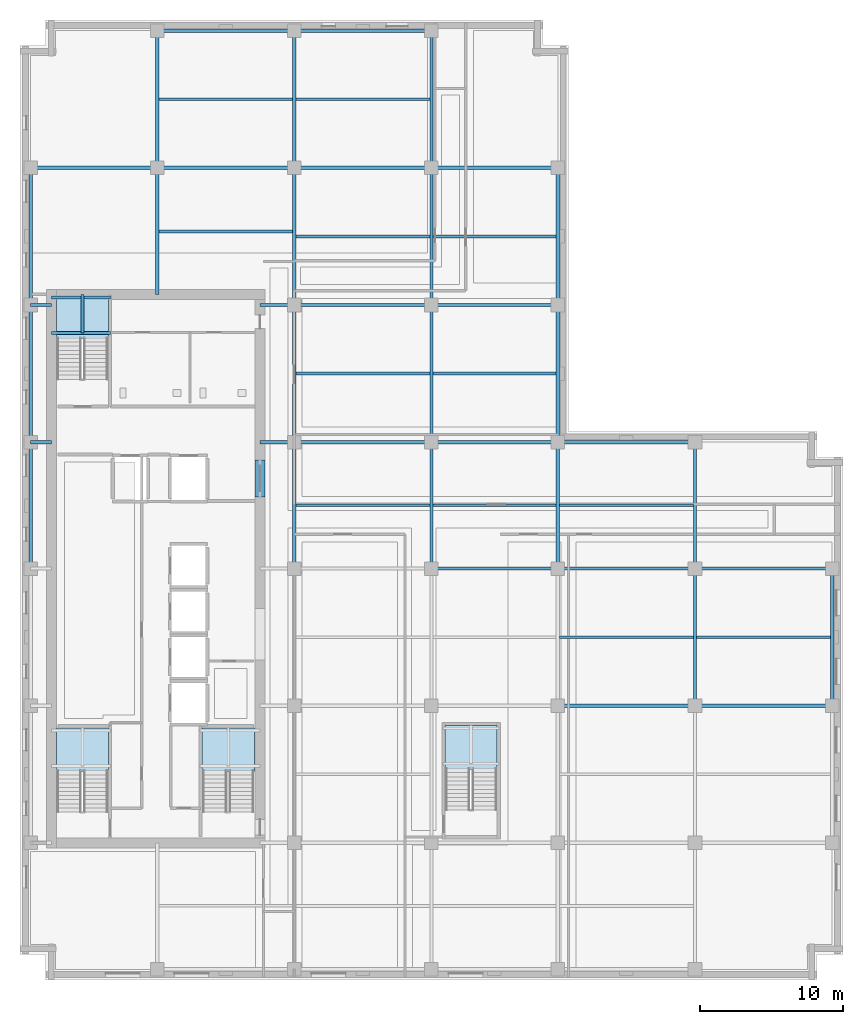
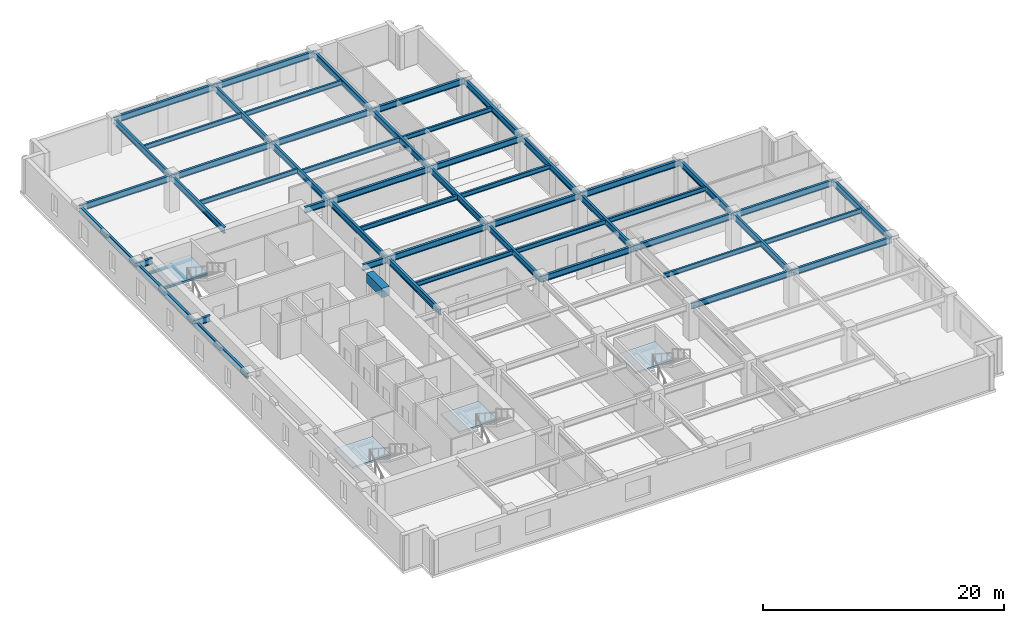
# One storey, part 2 of 13: 55 beams, 4 slabs, 4 elements without a shape of their own.
"""IFC4 building model written with IfcOpenShell, lengths in metres."""

import ifcopenshell
import ifcopenshell.guid

model = None  # the IFC model being written
_history = None  # IfcOwnerHistory: only IFC2X3 demands one
_inside = {}  # id of a spatial element -> (the spatial element, [elements in it])
_under = {}  # id of a project, library or spatial element -> (it, [spatial elements below it])
_declared = {}  # id of a project -> (the project, [libraries it declares])
_typed = {}  # id of a type object -> (the type object, [elements of that type])
_made_of = {}  # id of a material, layer set ... -> (it, [elements and type objects made of it])


def new_model(schema):
    """Start an empty IFC model of exactly this schema.

    Asked for "IFC4X3", IfcOpenShell would pick the latest addendum, in which some entities
    have other attributes; the version numbers below select the first issue.
    IFC2X3 requires an IfcOwnerHistory on every rooted entity: one is made here for all.
    """
    global model, _history
    if schema == "IFC4X3":
        model = ifcopenshell.file(schema_version=(4, 3, 0, 0))
    else:
        model = ifcopenshell.file(schema=schema)
    _inside.clear()
    _under.clear()
    _declared.clear()
    _typed.clear()
    _made_of.clear()
    _history = None
    if model.schema == "IFC2X3":
        org = make("IfcOrganization", Name="unknown")
        user = make(
            "IfcPersonAndOrganization",
            ThePerson=make("IfcPerson", FamilyName="unknown"),
            TheOrganization=org,
        )
        app = make(
            "IfcApplication",
            ApplicationDeveloper=org,
            Version="unknown",
            ApplicationFullName="unknown",
            ApplicationIdentifier="unknown",
        )
        _history = make(
            "IfcOwnerHistory",
            OwningUser=user,
            OwningApplication=app,
            ChangeAction="ADDED",
            CreationDate=0,
        )
    return model


def make(cls, **values):
    """One entity of the class cls with the attributes given. An attribute that is None is left unset."""
    return model.create_entity(
        cls, **{name: value for name, value in values.items() if value is not None}
    )


def rooted(cls, **values):
    """An entity with a GlobalId (a new one), such as an element, a storey or a relation."""
    return make(cls, GlobalId=ifcopenshell.guid.new(), OwnerHistory=_history, **values)


def si_unit(unit_type, name, prefix=None):
    """IfcSIUnit, for example si_unit("LENGTHUNIT", "METRE", prefix="MILLI")."""
    return make("IfcSIUnit", UnitType=unit_type, Prefix=prefix, Name=name)


def assignment(units):
    """IfcUnitAssignment: the units of a project."""
    return None if units is None else make("IfcUnitAssignment", Units=units)


def point(xyz):
    """IfcCartesianPoint."""
    return None if xyz is None else make("IfcCartesianPoint", Coordinates=xyz)


def direction(xyz):
    """IfcDirection."""
    return None if xyz is None else make("IfcDirection", DirectionRatios=xyz)


def frame(location, z_axis=None, x_axis=None):
    """IfcAxis2Placement3D, a coordinate frame: its origin and axes. An axis left out is left unset."""
    return make(
        "IfcAxis2Placement3D",
        Location=point(location),
        Axis=direction(z_axis),
        RefDirection=direction(x_axis),
    )


def frame_2d(location, x_axis=None):
    """IfcAxis2Placement2D, a coordinate frame in the plane: its origin and x axis."""
    return make(
        "IfcAxis2Placement2D", Location=point(location), RefDirection=direction(x_axis)
    )


def origin():
    """The frame at (0, 0, 0) with its axes left unset."""
    return frame((0.0, 0.0, 0.0))


def origin_2d():
    """The frame at (0, 0) in the plane with its x axis left unset."""
    return frame_2d((0.0, 0.0))


def place(relative_to, where):
    """IfcLocalPlacement: puts the frame where relative to a parent placement (None: the world)."""
    return make(
        "IfcLocalPlacement", PlacementRelTo=relative_to, RelativePlacement=where
    )


def context(
    kind, dimensions, precision=None, world=None, true_north=None, identifier=None
):
    """IfcGeometricRepresentationContext, for example the 3D "Model" context."""
    return make(
        "IfcGeometricRepresentationContext",
        ContextIdentifier=identifier,
        ContextType=kind,
        CoordinateSpaceDimension=dimensions,
        Precision=precision,
        WorldCoordinateSystem=world,
        TrueNorth=true_north,
    )


def subcontext(parent, identifier, kind, view, scale=None):
    """IfcGeometricRepresentationSubContext, for example "Body" below "Model"."""
    return make(
        "IfcGeometricRepresentationSubContext",
        ContextIdentifier=identifier,
        ContextType=kind,
        ParentContext=parent,
        TargetScale=scale,
        TargetView=view,
    )


def project(units=None, contexts=None):
    """IfcProject with its units and contexts."""
    return rooted(
        "IfcProject",
        Name="project",
        RepresentationContexts=contexts,
        UnitsInContext=assignment(units),
    )


def spatial(cls, under=None, at=None, **own):
    """A site, building, storey or space (cls), placed at a placement, below another one or the project."""
    s = rooted(cls, ObjectPlacement=at, **own)
    if under is not None:
        _under.setdefault(under.id(), (under, []))[1].append(s)
    return s


def polyline(points):
    """IfcPolyline through the points."""
    return make("IfcPolyline", Points=[point(p) for p in points])


def profile(cls, at=None, kind="AREA", **sizes):
    """A parametric profile (cls). Its sizes go by their IFC names, for example OverallWidth=200.0."""
    return make(cls, ProfileType=kind, Position=at, **sizes)


def rectangle(**sizes):
    """IfcRectangleProfileDef."""
    return profile("IfcRectangleProfileDef", **sizes)


def i_section(**sizes):
    """IfcIShapeProfileDef."""
    return profile("IfcIShapeProfileDef", **sizes)


def outline(outer, holes=None, kind="AREA"):
    """IfcArbitraryClosedProfileDef: a profile drawn as a closed curve; with holes, ...WithVoids."""
    if holes is None:
        return make("IfcArbitraryClosedProfileDef", ProfileType=kind, OuterCurve=outer)
    return make(
        "IfcArbitraryProfileDefWithVoids",
        ProfileType=kind,
        OuterCurve=outer,
        InnerCurves=holes,
    )


def extrude(swept, where, along, depth):
    """IfcExtrudedAreaSolid: the profile swept, set in the frame where, extruded along a direction by depth."""
    return make(
        "IfcExtrudedAreaSolid",
        SweptArea=swept,
        Position=where,
        ExtrudedDirection=direction(along),
        Depth=depth,
    )


def shape(context_of_items, identifier, shape_type, items):
    """IfcShapeRepresentation: the items that make up one representation, for example the "Body"."""
    return make(
        "IfcShapeRepresentation",
        ContextOfItems=context_of_items,
        RepresentationIdentifier=identifier,
        RepresentationType=shape_type,
        Items=items,
    )


def material(Name=None, Category=None):
    """IfcMaterial."""
    return make("IfcMaterial", Name=Name, Category=Category)


def layer(
    of_material, thickness, ventilated=None, Name=None, Category=None, Priority=None
):
    """IfcMaterialLayer: one layer of a wall or slab, of a material (None: an air gap)."""
    return make(
        "IfcMaterialLayer",
        Material=of_material,
        LayerThickness=thickness,
        IsVentilated=ventilated,
        Name=Name,
        Category=Category,
        Priority=Priority,
    )


def layer_set(layers, Name=None):
    """IfcMaterialLayerSet."""
    return make("IfcMaterialLayerSet", MaterialLayers=layers, LayerSetName=Name)


def material_profile(
    of_material, cross_section, Name=None, Category=None, Priority=None
):
    """IfcMaterialProfile: a cross section and its material."""
    return make(
        "IfcMaterialProfile",
        Name=Name,
        Material=of_material,
        Profile=cross_section,
        Priority=Priority,
        Category=Category,
    )


def profile_set(profiles, Name=None, composite=None):
    """IfcMaterialProfileSet."""
    return make(
        "IfcMaterialProfileSet",
        Name=Name,
        MaterialProfiles=profiles,
        CompositeProfile=composite,
    )


def made_of(thing, what):
    """Note that an element or type object is made of a material, layer set ...; save() writes the relation."""
    if what is not None:
        _made_of.setdefault(what.id(), (what, []))[1].append(thing)
    return thing


def type_object(cls, material=None, **own):
    """A type object (cls), such as IfcWallType, which elements share."""
    return made_of(rooted(cls, **own), material)


def element(
    cls,
    number,
    at=None,
    inside=None,
    cuts=None,
    type_object=None,
    material=None,
    context=None,
    identifier="Body",
    shape_type=None,
    held_by="IfcProductDefinitionShape",
    body=None,
    shapes=None,
    **own,
):
    """One element of the class cls, such as IfcWall. Its Tag is "e" and its number.

    at: its placement. inside: the storey or other place that contains it. cuts: it is an
    opening in that element (IfcRelVoidsElement). A single representation is given by context,
    identifier, shape_type and body (its items); several are given by shapes. held_by: the class
    of the entity that holds the representations. save() writes the other relations.
    """
    e = rooted(cls, Tag="e%d" % number, ObjectPlacement=at, **own)
    if body is not None:
        shapes = [shape(context, identifier, shape_type, body)]
    if shapes is not None:
        e.Representation = make(held_by, Representations=shapes)
    if inside is not None:
        _inside.setdefault(inside.id(), (inside, []))[1].append(e)
    if cuts is not None:
        rooted(
            "IfcRelVoidsElement", RelatingBuildingElement=cuts, RelatedOpeningElement=e
        )
    if type_object is not None:
        _typed.setdefault(type_object.id(), (type_object, []))[1].append(e)
    return made_of(e, material)


def aggregate(whole, parts):
    """IfcRelAggregates: a whole, such as a stair, and the parts it consists of."""
    return rooted("IfcRelAggregates", RelatingObject=whole, RelatedObjects=parts)


def save(model, path):
    """Write the relations noted so far, then the file.

    IfcRelAggregates (storeys below a building ...), IfcRelContainedInSpatialStructure (elements
    in a storey), IfcRelDefinesByType, IfcRelAssociatesMaterial and IfcRelDeclares: one each for
    every whole, place, type object, material and project.
    """
    for whole, parts in _under.values():
        aggregate(whole, parts)
    for where, things in _inside.values():
        rooted(
            "IfcRelContainedInSpatialStructure",
            RelatedElements=things,
            RelatingStructure=where,
        )
    for kind, things in _typed.values():
        rooted("IfcRelDefinesByType", RelatedObjects=things, RelatingType=kind)
    for what, things in _made_of.values():
        rooted("IfcRelAssociatesMaterial", RelatedObjects=things, RelatingMaterial=what)
    for by, libraries in _declared.values():
        rooted("IfcRelDeclares", RelatingContext=by, RelatedDefinitions=libraries)
    model.write(path)


model = new_model("IFC4")

# Units and contexts
model_context = context("Model", 3, precision=1e-05, world=origin(), true_north=direction((0.0, 1.0)))
body_context = subcontext(model_context, "Body", "Model", "MODEL_VIEW")
ifc_project = project(units=[si_unit("LENGTHUNIT", "METRE"), si_unit("AREAUNIT", "SQUARE_METRE"), si_unit("VOLUMEUNIT", "CUBIC_METRE"), si_unit("PLANEANGLEUNIT", "RADIAN"), si_unit("MASSUNIT", "GRAM", prefix="KILO")], contexts=[model_context])

# Site, building, storey
site_placement = place(None, origin())
site = spatial("IfcSite", under=ifc_project, at=site_placement, CompositionType="ELEMENT")
building_placement = place(site_placement, origin())
building = spatial("IfcBuilding", under=site, at=building_placement, Name="Norrvale University Quadrangle", CompositionType="ELEMENT")
storey_placement = place(building_placement, frame((0.0, 0.0, 190.199951171875)))
storey = spatial("IfcBuildingStorey", under=building, at=storey_placement, Name="L48", CompositionType="ELEMENT", Elevation=190.199951171875)

# Beams
ifc_material_1 = material(Name="Concrete C80/95", Category="concrete")
ifc_material_profile_1 = material_profile(ifc_material_1, rectangle(XDim=0.699951171875, YDim=0.949951171875, at=origin_2d()), Name="Concrete C80/95")
ifc_profile_set_1 = profile_set([ifc_material_profile_1], Name="Concrete C80/95")
beam_type_1 = type_object("IfcBeamType", Name="Beam Core Link 700x950", PredefinedType="LINTEL", material=ifc_profile_set_1)
beam_1_placement = place(storey_placement, frame((16.800048828125, 33.800048828125, 3.005126953125), z_axis=(0.0, 1.0, 0.0), x_axis=(-1.0, 0.0, 0.0)))
element("IfcBeam", 1, at=beam_1_placement, inside=storey, type_object=beam_type_1, Name="Core Coupling Lintel Beam L48-2", PredefinedType="LINTEL", context=body_context, shape_type="SweptSolid", body=[
    extrude(rectangle(XDim=0.699951171875, YDim=0.949951171875, at=origin_2d()), origin(), (0.0, 0.0, 1.0), 2.599853515625),
])
ifc_material_2 = material(Name="Steel 350W", Category="steel")
ifc_material_profile_2 = material_profile(ifc_material_2, i_section(OverallWidth=0.18994140625, OverallDepth=0.45703125, WebThickness=0.009033203125, FlangeThickness=0.014404296875, FilletRadius=0.012939453125, at=origin_2d()), Name="Steel 350W")
ifc_profile_set_2 = profile_set([ifc_material_profile_2], Name="Steel 350W")
beam_type_2 = type_object("IfcBeamType", Name="Beam Floor W460x74", PredefinedType="JOIST", material=ifc_profile_set_2)
beam_2_placement = place(storey_placement, frame((9.715087890625, 61.64990234375, 3.25146484375), z_axis=(1.0, 0.0, 0.0), x_axis=(0.0, 1.0, 0.0)))
element("IfcBeam", 2, at=beam_2_placement, inside=storey, type_object=beam_type_2, Name="Beam Floor W460x74 BM-L48-J070", PredefinedType="JOIST", context=body_context, shape_type="SweptSolid", body=[
    extrude(i_section(OverallWidth=0.18994140625, OverallDepth=0.45703125, WebThickness=0.009033203125, FlangeThickness=0.014404296875, FilletRadius=0.012939453125, at=origin_2d()), origin(), (0.0, 0.0, 1.0), 9.369873046875),
])
for number, where, z_axis, x_axis, name in (
    (3, (19.31494140625, 33.22509765625, 3.25146484375), (1.0, 0.0, 0.0), (0.0, 1.0, 0.0), "Beam Floor W460x74 BM-L48-J074"),
    (4, (19.31494140625, 42.449951171875, 3.25146484375), (1.0, 0.0, 0.0), (0.0, 1.0, 0.0), "Beam Floor W460x74 BM-L48-J075"),
    (5, (19.31494140625, 52.050048828125, 3.25146484375), (1.0, 0.0, 0.0), (0.0, 1.0, 0.0), "Beam Floor W460x74 BM-L48-J076"),
    (6, (19.31494140625, 61.64990234375, 3.25146484375), (1.0, 0.0, 0.0), (0.0, 1.0, 0.0), "Beam Floor W460x74 BM-L48-J077"),
):
    element("IfcBeam", number, at=place(storey_placement, frame(where, z_axis=z_axis, x_axis=x_axis)), inside=storey, type_object=beam_type_2, Name=name, PredefinedType="JOIST", context=body_context, shape_type="SweptSolid", body=[
        extrude(i_section(OverallWidth=0.18994140625, OverallDepth=0.45703125, WebThickness=0.009033203125, FlangeThickness=0.014404296875, FilletRadius=0.012939453125, at=origin_2d()), origin(), (0.0, 0.0, 1.0), 9.3701171875),
    ])
for number, where, z_axis, x_axis, name in (
    (7, (28.9150390625, 33.22509765625, 3.25146484375), (1.0, 0.0, 0.0), (0.0, 1.0, 0.0), "Beam Floor W460x74 BM-L48-J080"),
    (8, (28.9150390625, 42.449951171875, 3.25146484375), (1.0, 0.0, 0.0), (0.0, 1.0, 0.0), "Beam Floor W460x74 BM-L48-J081"),
    (9, (28.9150390625, 52.050048828125, 3.25146484375), (1.0, 0.0, 0.0), (0.0, 1.0, 0.0), "Beam Floor W460x74 BM-L48-J082"),
):
    element("IfcBeam", number, at=place(storey_placement, frame(where, z_axis=z_axis, x_axis=x_axis)), inside=storey, type_object=beam_type_2, Name=name, PredefinedType="JOIST", context=body_context, shape_type="SweptSolid", body=[
        extrude(i_section(OverallWidth=0.18994140625, OverallDepth=0.45703125, WebThickness=0.009033203125, FlangeThickness=0.014404296875, FilletRadius=0.012939453125, at=origin_2d()), origin(), (0.0, 0.0, 1.0), 8.619873046875),
    ])
for number, where, z_axis, x_axis, name in (
    (10, (37.764892578125, 24.0, 3.25146484375), (1.0, 0.0, 0.0), (0.0, 1.0, 0.0), "Beam Floor W460x74 BM-L48-J085"),
    (11, (37.764892578125, 33.22509765625, 3.25146484375), (1.0, 0.0, 0.0), (0.0, 1.0, 0.0), "Beam Floor W460x74 BM-L48-J086"),
    (12, (47.364990234375, 24.0, 3.25146484375), (1.0, 0.0, 0.0), (0.0, 1.0, 0.0), "Beam Floor W460x74 BM-L48-J088"),
):
    element("IfcBeam", number, at=place(storey_placement, frame(where, z_axis=z_axis, x_axis=x_axis)), inside=storey, type_object=beam_type_2, Name=name, PredefinedType="JOIST", context=body_context, shape_type="SweptSolid", body=[
        extrude(i_section(OverallWidth=0.18994140625, OverallDepth=0.45703125, WebThickness=0.009033203125, FlangeThickness=0.014404296875, FilletRadius=0.012939453125, at=origin_2d()), origin(), (0.0, 0.0, 1.0), 9.3701171875),
    ])
beam_3_placement = place(storey_placement, frame((9.715087890625, 52.39990234375, 3.25146484375), z_axis=(1.0, 0.0, 0.0), x_axis=(0.0, 1.0, 0.0)))
element("IfcBeam", 13, at=beam_3_placement, inside=storey, type_object=beam_type_2, Name="Beam Floor W460x74 BM-L48-JCN092", PredefinedType="JOIST", context=body_context, shape_type="SweptSolid", body=[
    extrude(i_section(OverallWidth=0.18994140625, OverallDepth=0.45703125, WebThickness=0.009033203125, FlangeThickness=0.014404296875, FilletRadius=0.012939453125, at=origin_2d()), origin(), (0.0, 0.0, 1.0), 9.369873046875),
])
ifc_material_profile_3 = material_profile(ifc_material_2, i_section(OverallWidth=0.22998046875, OverallDepth=0.616943359375, WebThickness=0.01318359375, FlangeThickness=0.022216796875, FilletRadius=0.01611328125, at=origin_2d()), Name="Steel 350W")
ifc_profile_set_3 = profile_set([ifc_material_profile_3], Name="Steel 350W")
beam_type_3 = type_object("IfcBeamType", Name="Beam Floor W610x140", PredefinedType="BEAM", material=ifc_profile_set_3)
for number, where, z_axis, x_axis, name in (
    (14, (37.64990234375, 19.199951171875, 3.171630859375), (1.0, 0.0, 0.0), (0.0, 1.0, 0.0), "Beam Floor W610x140 BM-L48-GX011"),
    (15, (47.25, 19.199951171875, 3.171630859375), (1.0, 0.0, 0.0), (0.0, 1.0, 0.0), "Beam Floor W610x140 BM-L48-GX012"),
):
    element("IfcBeam", number, at=place(storey_placement, frame(where, z_axis=z_axis, x_axis=x_axis)), inside=storey, type_object=beam_type_3, Name=name, PredefinedType="BEAM", context=body_context, shape_type="SweptSolid", body=[
        extrude(i_section(OverallWidth=0.22998046875, OverallDepth=0.616943359375, WebThickness=0.01318359375, FlangeThickness=0.022216796875, FilletRadius=0.01611328125, at=origin_2d()), origin(), (0.0, 0.0, 1.0), 9.60009765625),
    ])
beam_4_placement = place(storey_placement, frame((28.800048828125, 28.800048828125, 3.171630859375), z_axis=(1.0, 0.0, 0.0), x_axis=(0.0, 1.0, 0.0)))
element("IfcBeam", 16, at=beam_4_placement, inside=storey, type_object=beam_type_3, Name="Beam Floor W610x140 BM-L48-GX014", PredefinedType="BEAM", context=body_context, shape_type="SweptSolid", body=[
    extrude(i_section(OverallWidth=0.22998046875, OverallDepth=0.616943359375, WebThickness=0.01318359375, FlangeThickness=0.022216796875, FilletRadius=0.01611328125, at=origin_2d()), origin(), (0.0, 0.0, 1.0), 8.849853515625),
])
for number, where, z_axis, x_axis, name in (
    (17, (37.64990234375, 28.800048828125, 3.171630859375), (1.0, 0.0, 0.0), (0.0, 1.0, 0.0), "Beam Floor W610x140 BM-L48-GX015"),
    (18, (47.25, 28.800048828125, 3.171630859375), (1.0, 0.0, 0.0), (0.0, 1.0, 0.0), "Beam Floor W610x140 BM-L48-GX016"),
    (19, (19.199951171875, 37.64990234375, 3.171630859375), (1.0, 0.0, 0.0), (0.0, 1.0, 0.0), "Beam Floor W610x140 BM-L48-GX017"),
):
    element("IfcBeam", number, at=place(storey_placement, frame(where, z_axis=z_axis, x_axis=x_axis)), inside=storey, type_object=beam_type_3, Name=name, PredefinedType="BEAM", context=body_context, shape_type="SweptSolid", body=[
        extrude(i_section(OverallWidth=0.22998046875, OverallDepth=0.616943359375, WebThickness=0.01318359375, FlangeThickness=0.022216796875, FilletRadius=0.01611328125, at=origin_2d()), origin(), (0.0, 0.0, 1.0), 9.60009765625),
    ])
beam_5_placement = place(storey_placement, frame((28.800048828125, 37.64990234375, 3.171630859375), z_axis=(1.0, 0.0, 0.0), x_axis=(0.0, 1.0, 0.0)))
element("IfcBeam", 20, at=beam_5_placement, inside=storey, type_object=beam_type_3, Name="Beam Floor W610x140 BM-L48-GX018", PredefinedType="BEAM", context=body_context, shape_type="SweptSolid", body=[
    extrude(i_section(OverallWidth=0.22998046875, OverallDepth=0.616943359375, WebThickness=0.01318359375, FlangeThickness=0.022216796875, FilletRadius=0.01611328125, at=origin_2d()), origin(), (0.0, 0.0, 1.0), 8.849853515625),
])
for number, where, z_axis, x_axis, name in (
    (21, (37.64990234375, 37.64990234375, 3.171630859375), (1.0, 0.0, 0.0), (0.0, 1.0, 0.0), "Beam Floor W610x140 BM-L48-GX019"),
    (22, (19.199951171875, 47.25, 3.171630859375), (1.0, 0.0, 0.0), (0.0, 1.0, 0.0), "Beam Floor W610x140 BM-L48-GX020"),
):
    element("IfcBeam", number, at=place(storey_placement, frame(where, z_axis=z_axis, x_axis=x_axis)), inside=storey, type_object=beam_type_3, Name=name, PredefinedType="BEAM", context=body_context, shape_type="SweptSolid", body=[
        extrude(i_section(OverallWidth=0.22998046875, OverallDepth=0.616943359375, WebThickness=0.01318359375, FlangeThickness=0.022216796875, FilletRadius=0.01611328125, at=origin_2d()), origin(), (0.0, 0.0, 1.0), 9.60009765625),
    ])
beam_6_placement = place(storey_placement, frame((28.800048828125, 47.25, 3.171630859375), z_axis=(1.0, 0.0, 0.0), x_axis=(0.0, 1.0, 0.0)))
element("IfcBeam", 23, at=beam_6_placement, inside=storey, type_object=beam_type_3, Name="Beam Floor W610x140 BM-L48-GX021", PredefinedType="BEAM", context=body_context, shape_type="SweptSolid", body=[
    extrude(i_section(OverallWidth=0.22998046875, OverallDepth=0.616943359375, WebThickness=0.01318359375, FlangeThickness=0.022216796875, FilletRadius=0.01611328125, at=origin_2d()), origin(), (0.0, 0.0, 1.0), 8.849853515625),
])
beam_7_placement = place(storey_placement, frame((0.75, 56.85009765625, 3.171630859375), z_axis=(1.0, 0.0, 0.0), x_axis=(0.0, 1.0, 0.0)))
element("IfcBeam", 24, at=beam_7_placement, inside=storey, type_object=beam_type_3, Name="Beam Floor W610x140 BM-L48-GX022", PredefinedType="BEAM", context=body_context, shape_type="SweptSolid", body=[
    extrude(i_section(OverallWidth=0.22998046875, OverallDepth=0.616943359375, WebThickness=0.01318359375, FlangeThickness=0.022216796875, FilletRadius=0.01611328125, at=origin_2d()), origin(), (0.0, 0.0, 1.0), 8.85009765625),
])
beam_8_placement = place(storey_placement, frame((9.60009765625, 56.85009765625, 3.171630859375), z_axis=(1.0, 0.0, 0.0), x_axis=(0.0, 1.0, 0.0)))
element("IfcBeam", 25, at=beam_8_placement, inside=storey, type_object=beam_type_3, Name="Beam Floor W610x140 BM-L48-GX023", PredefinedType="BEAM", context=body_context, shape_type="SweptSolid", body=[
    extrude(i_section(OverallWidth=0.22998046875, OverallDepth=0.616943359375, WebThickness=0.01318359375, FlangeThickness=0.022216796875, FilletRadius=0.01611328125, at=origin_2d()), origin(), (0.0, 0.0, 1.0), 9.599853515625),
])
beam_9_placement = place(storey_placement, frame((19.199951171875, 56.85009765625, 3.171630859375), z_axis=(1.0, 0.0, 0.0), x_axis=(0.0, 1.0, 0.0)))
element("IfcBeam", 26, at=beam_9_placement, inside=storey, type_object=beam_type_3, Name="Beam Floor W610x140 BM-L48-GX024", PredefinedType="BEAM", context=body_context, shape_type="SweptSolid", body=[
    extrude(i_section(OverallWidth=0.22998046875, OverallDepth=0.616943359375, WebThickness=0.01318359375, FlangeThickness=0.022216796875, FilletRadius=0.01611328125, at=origin_2d()), origin(), (0.0, 0.0, 1.0), 9.60009765625),
])
beam_10_placement = place(storey_placement, frame((28.800048828125, 56.85009765625, 3.171630859375), z_axis=(1.0, 0.0, 0.0), x_axis=(0.0, 1.0, 0.0)))
element("IfcBeam", 27, at=beam_10_placement, inside=storey, type_object=beam_type_3, Name="Beam Floor W610x140 BM-L48-GX025", PredefinedType="BEAM", context=body_context, shape_type="SweptSolid", body=[
    extrude(i_section(OverallWidth=0.22998046875, OverallDepth=0.616943359375, WebThickness=0.01318359375, FlangeThickness=0.022216796875, FilletRadius=0.01611328125, at=origin_2d()), origin(), (0.0, 0.0, 1.0), 8.849853515625),
])
beam_11_placement = place(storey_placement, frame((9.60009765625, 66.449951171875, 3.171630859375), z_axis=(1.0, 0.0, 0.0), x_axis=(0.0, 1.0, 0.0)))
element("IfcBeam", 28, at=beam_11_placement, inside=storey, type_object=beam_type_3, Name="Beam Floor W610x140 BM-L48-GX026", PredefinedType="BEAM", context=body_context, shape_type="SweptSolid", body=[
    extrude(i_section(OverallWidth=0.22998046875, OverallDepth=0.616943359375, WebThickness=0.01318359375, FlangeThickness=0.022216796875, FilletRadius=0.01611328125, at=origin_2d()), origin(), (0.0, 0.0, 1.0), 9.599853515625),
])
beam_12_placement = place(storey_placement, frame((19.199951171875, 66.449951171875, 3.171630859375), z_axis=(1.0, 0.0, 0.0), x_axis=(0.0, 1.0, 0.0)))
element("IfcBeam", 29, at=beam_12_placement, inside=storey, type_object=beam_type_3, Name="Beam Floor W610x140 BM-L48-GX027", PredefinedType="BEAM", context=body_context, shape_type="SweptSolid", body=[
    extrude(i_section(OverallWidth=0.22998046875, OverallDepth=0.616943359375, WebThickness=0.01318359375, FlangeThickness=0.022216796875, FilletRadius=0.01611328125, at=origin_2d()), origin(), (0.0, 0.0, 1.0), 9.60009765625),
])
beam_13_placement = place(storey_placement, frame((0.75, 28.800048828125, 3.171630859375), z_axis=(0.0, 1.0, 0.0), x_axis=(-1.0, 0.0, 0.0)))
element("IfcBeam", 30, at=beam_13_placement, inside=storey, type_object=beam_type_3, Name="Beam Floor W610x140 BM-L48-GY030", PredefinedType="BEAM", context=body_context, shape_type="SweptSolid", body=[
    extrude(i_section(OverallWidth=0.22998046875, OverallDepth=0.616943359375, WebThickness=0.01318359375, FlangeThickness=0.022216796875, FilletRadius=0.01611328125, at=origin_2d()), origin(), (0.0, 0.0, 1.0), 8.849853515625),
])
for number, where, z_axis, x_axis, name in (
    (31, (0.75, 37.64990234375, 3.171630859375), (0.0, 1.0, 0.0), (-1.0, 0.0, 0.0), "Beam Floor W610x140 BM-L48-GY031"),
    (32, (0.75, 47.25, 3.171630859375), (0.0, 1.0, 0.0), (-1.0, 0.0, 0.0), "Beam Floor W610x140 BM-L48-GY032"),
):
    element("IfcBeam", number, at=place(storey_placement, frame(where, z_axis=z_axis, x_axis=x_axis)), inside=storey, type_object=beam_type_3, Name=name, PredefinedType="BEAM", context=body_context, shape_type="SweptSolid", body=[
        extrude(i_section(OverallWidth=0.22998046875, OverallDepth=0.616943359375, WebThickness=0.01318359375, FlangeThickness=0.022216796875, FilletRadius=0.01611328125, at=origin_2d()), origin(), (0.0, 0.0, 1.0), 9.60009765625),
    ])
beam_14_placement = place(storey_placement, frame((9.60009765625, 56.85009765625, 3.171630859375), z_axis=(0.0, 1.0, 0.0), x_axis=(-1.0, 0.0, 0.0)))
element("IfcBeam", 33, at=beam_14_placement, inside=storey, type_object=beam_type_3, Name="Beam Floor W610x140 BM-L48-GY033", PredefinedType="BEAM", context=body_context, shape_type="SweptSolid", body=[
    extrude(i_section(OverallWidth=0.22998046875, OverallDepth=0.616943359375, WebThickness=0.01318359375, FlangeThickness=0.022216796875, FilletRadius=0.01611328125, at=origin_2d()), origin(), (0.0, 0.0, 1.0), 9.599853515625),
])
beam_15_placement = place(storey_placement, frame((19.199951171875, 28.800048828125, 3.171630859375), z_axis=(0.0, 1.0, 0.0), x_axis=(-1.0, 0.0, 0.0)))
element("IfcBeam", 34, at=beam_15_placement, inside=storey, type_object=beam_type_3, Name="Beam Floor W610x140 BM-L48-GY037", PredefinedType="BEAM", context=body_context, shape_type="SweptSolid", body=[
    extrude(i_section(OverallWidth=0.22998046875, OverallDepth=0.616943359375, WebThickness=0.01318359375, FlangeThickness=0.022216796875, FilletRadius=0.01611328125, at=origin_2d()), origin(), (0.0, 0.0, 1.0), 8.849853515625),
])
for number, where, z_axis, x_axis, name in (
    (35, (19.199951171875, 37.64990234375, 3.171630859375), (0.0, 1.0, 0.0), (-1.0, 0.0, 0.0), "Beam Floor W610x140 BM-L48-GY038"),
    (36, (19.199951171875, 47.25, 3.171630859375), (0.0, 1.0, 0.0), (-1.0, 0.0, 0.0), "Beam Floor W610x140 BM-L48-GY039"),
):
    element("IfcBeam", number, at=place(storey_placement, frame(where, z_axis=z_axis, x_axis=x_axis)), inside=storey, type_object=beam_type_3, Name=name, PredefinedType="BEAM", context=body_context, shape_type="SweptSolid", body=[
        extrude(i_section(OverallWidth=0.22998046875, OverallDepth=0.616943359375, WebThickness=0.01318359375, FlangeThickness=0.022216796875, FilletRadius=0.01611328125, at=origin_2d()), origin(), (0.0, 0.0, 1.0), 9.60009765625),
    ])
beam_16_placement = place(storey_placement, frame((19.199951171875, 56.85009765625, 3.171630859375), z_axis=(0.0, 1.0, 0.0), x_axis=(-1.0, 0.0, 0.0)))
element("IfcBeam", 37, at=beam_16_placement, inside=storey, type_object=beam_type_3, Name="Beam Floor W610x140 BM-L48-GY040", PredefinedType="BEAM", context=body_context, shape_type="SweptSolid", body=[
    extrude(i_section(OverallWidth=0.22998046875, OverallDepth=0.616943359375, WebThickness=0.01318359375, FlangeThickness=0.022216796875, FilletRadius=0.01611328125, at=origin_2d()), origin(), (0.0, 0.0, 1.0), 9.599853515625),
])
beam_17_placement = place(storey_placement, frame((28.800048828125, 28.800048828125, 3.171630859375), z_axis=(0.0, 1.0, 0.0), x_axis=(-1.0, 0.0, 0.0)))
element("IfcBeam", 38, at=beam_17_placement, inside=storey, type_object=beam_type_3, Name="Beam Floor W610x140 BM-L48-GY044", PredefinedType="BEAM", context=body_context, shape_type="SweptSolid", body=[
    extrude(i_section(OverallWidth=0.22998046875, OverallDepth=0.616943359375, WebThickness=0.01318359375, FlangeThickness=0.022216796875, FilletRadius=0.01611328125, at=origin_2d()), origin(), (0.0, 0.0, 1.0), 8.849853515625),
])
for number, where, z_axis, x_axis, name in (
    (39, (28.800048828125, 37.64990234375, 3.171630859375), (0.0, 1.0, 0.0), (-1.0, 0.0, 0.0), "Beam Floor W610x140 BM-L48-GY045"),
    (40, (28.800048828125, 47.25, 3.171630859375), (0.0, 1.0, 0.0), (-1.0, 0.0, 0.0), "Beam Floor W610x140 BM-L48-GY046"),
):
    element("IfcBeam", number, at=place(storey_placement, frame(where, z_axis=z_axis, x_axis=x_axis)), inside=storey, type_object=beam_type_3, Name=name, PredefinedType="BEAM", context=body_context, shape_type="SweptSolid", body=[
        extrude(i_section(OverallWidth=0.22998046875, OverallDepth=0.616943359375, WebThickness=0.01318359375, FlangeThickness=0.022216796875, FilletRadius=0.01611328125, at=origin_2d()), origin(), (0.0, 0.0, 1.0), 9.60009765625),
    ])
beam_18_placement = place(storey_placement, frame((28.800048828125, 56.85009765625, 3.171630859375), z_axis=(0.0, 1.0, 0.0), x_axis=(-1.0, 0.0, 0.0)))
element("IfcBeam", 41, at=beam_18_placement, inside=storey, type_object=beam_type_3, Name="Beam Floor W610x140 BM-L48-GY047", PredefinedType="BEAM", context=body_context, shape_type="SweptSolid", body=[
    extrude(i_section(OverallWidth=0.22998046875, OverallDepth=0.616943359375, WebThickness=0.01318359375, FlangeThickness=0.022216796875, FilletRadius=0.01611328125, at=origin_2d()), origin(), (0.0, 0.0, 1.0), 9.599853515625),
])
beam_19_placement = place(storey_placement, frame((37.64990234375, 28.800048828125, 3.171630859375), z_axis=(0.0, 1.0, 0.0), x_axis=(-1.0, 0.0, 0.0)))
element("IfcBeam", 42, at=beam_19_placement, inside=storey, type_object=beam_type_3, Name="Beam Floor W610x140 BM-L48-GY051", PredefinedType="BEAM", context=body_context, shape_type="SweptSolid", body=[
    extrude(i_section(OverallWidth=0.22998046875, OverallDepth=0.616943359375, WebThickness=0.01318359375, FlangeThickness=0.022216796875, FilletRadius=0.01611328125, at=origin_2d()), origin(), (0.0, 0.0, 1.0), 8.849853515625),
])
for number, where, z_axis, x_axis, name in (
    (43, (37.64990234375, 37.64990234375, 3.171630859375), (0.0, 1.0, 0.0), (-1.0, 0.0, 0.0), "Beam Floor W610x140 BM-L48-GY052"),
    (44, (37.64990234375, 47.25, 3.171630859375), (0.0, 1.0, 0.0), (-1.0, 0.0, 0.0), "Beam Floor W610x140 BM-L48-GY053"),
    (45, (47.25, 19.199951171875, 3.171630859375), (0.0, 1.0, 0.0), (-1.0, 0.0, 0.0), "Beam Floor W610x140 BM-L48-GY056"),
):
    element("IfcBeam", number, at=place(storey_placement, frame(where, z_axis=z_axis, x_axis=x_axis)), inside=storey, type_object=beam_type_3, Name=name, PredefinedType="BEAM", context=body_context, shape_type="SweptSolid", body=[
        extrude(i_section(OverallWidth=0.22998046875, OverallDepth=0.616943359375, WebThickness=0.01318359375, FlangeThickness=0.022216796875, FilletRadius=0.01611328125, at=origin_2d()), origin(), (0.0, 0.0, 1.0), 9.60009765625),
    ])
beam_20_placement = place(storey_placement, frame((47.25, 28.800048828125, 3.171630859375), z_axis=(0.0, 1.0, 0.0), x_axis=(-1.0, 0.0, 0.0)))
element("IfcBeam", 46, at=beam_20_placement, inside=storey, type_object=beam_type_3, Name="Beam Floor W610x140 BM-L48-GY057", PredefinedType="BEAM", context=body_context, shape_type="SweptSolid", body=[
    extrude(i_section(OverallWidth=0.22998046875, OverallDepth=0.616943359375, WebThickness=0.01318359375, FlangeThickness=0.022216796875, FilletRadius=0.01611328125, at=origin_2d()), origin(), (0.0, 0.0, 1.0), 8.849853515625),
])
beam_21_placement = place(storey_placement, frame((56.85009765625, 19.199951171875, 3.171630859375), z_axis=(0.0, 1.0, 0.0), x_axis=(-1.0, 0.0, 0.0)))
element("IfcBeam", 47, at=beam_21_placement, inside=storey, type_object=beam_type_3, Name="Beam Floor W610x140 BM-L48-GY059", PredefinedType="BEAM", context=body_context, shape_type="SweptSolid", body=[
    extrude(i_section(OverallWidth=0.22998046875, OverallDepth=0.616943359375, WebThickness=0.01318359375, FlangeThickness=0.022216796875, FilletRadius=0.01611328125, at=origin_2d()), origin(), (0.0, 0.0, 1.0), 9.60009765625),
])
beam_22_placement = place(storey_placement, frame((0.75, 37.64990234375, 3.171630859375), z_axis=(1.0, 0.0, 0.0), x_axis=(0.0, 1.0, 0.0)))
element("IfcBeam", 48, at=beam_22_placement, inside=storey, type_object=beam_type_3, Name="Beam Floor W610x140 BM-L48-GCW066", PredefinedType="BEAM", context=body_context, shape_type="SweptSolid", body=[
    extrude(i_section(OverallWidth=0.22998046875, OverallDepth=0.616943359375, WebThickness=0.01318359375, FlangeThickness=0.022216796875, FilletRadius=0.01611328125, at=origin_2d()), origin(), (0.0, 0.0, 1.0), 1.449951171875),
])
beam_23_placement = place(storey_placement, frame((16.800048828125, 37.64990234375, 3.171630859375), z_axis=(1.0, 0.0, 0.0), x_axis=(0.0, 1.0, 0.0)))
element("IfcBeam", 49, at=beam_23_placement, inside=storey, type_object=beam_type_3, Name="Beam Floor W610x140 BM-L48-GCE067", PredefinedType="BEAM", context=body_context, shape_type="SweptSolid", body=[
    extrude(i_section(OverallWidth=0.22998046875, OverallDepth=0.616943359375, WebThickness=0.01318359375, FlangeThickness=0.022216796875, FilletRadius=0.01611328125, at=origin_2d()), origin(), (0.0, 0.0, 1.0), 2.39990234375),
])
beam_24_placement = place(storey_placement, frame((0.75, 47.25, 3.171630859375), z_axis=(1.0, 0.0, 0.0), x_axis=(0.0, 1.0, 0.0)))
element("IfcBeam", 50, at=beam_24_placement, inside=storey, type_object=beam_type_3, Name="Beam Floor W610x140 BM-L48-GCW068", PredefinedType="BEAM", context=body_context, shape_type="SweptSolid", body=[
    extrude(i_section(OverallWidth=0.22998046875, OverallDepth=0.616943359375, WebThickness=0.01318359375, FlangeThickness=0.022216796875, FilletRadius=0.01611328125, at=origin_2d()), origin(), (0.0, 0.0, 1.0), 1.449951171875),
])
beam_25_placement = place(storey_placement, frame((16.800048828125, 47.25, 3.171630859375), z_axis=(1.0, 0.0, 0.0), x_axis=(0.0, 1.0, 0.0)))
element("IfcBeam", 51, at=beam_25_placement, inside=storey, type_object=beam_type_3, Name="Beam Floor W610x140 BM-L48-GCE069", PredefinedType="BEAM", context=body_context, shape_type="SweptSolid", body=[
    extrude(i_section(OverallWidth=0.22998046875, OverallDepth=0.616943359375, WebThickness=0.01318359375, FlangeThickness=0.022216796875, FilletRadius=0.01611328125, at=origin_2d()), origin(), (0.0, 0.0, 1.0), 2.39990234375),
])
beam_26_placement = place(storey_placement, frame((9.60009765625, 48.0, 3.171630859375), z_axis=(0.0, 1.0, 0.0), x_axis=(-1.0, 0.0, 0.0)))
element("IfcBeam", 52, at=beam_26_placement, inside=storey, type_object=beam_type_3, Name="Beam Floor W610x140 BM-L48-GCN091", PredefinedType="BEAM", context=body_context, shape_type="SweptSolid", body=[
    extrude(i_section(OverallWidth=0.22998046875, OverallDepth=0.616943359375, WebThickness=0.01318359375, FlangeThickness=0.022216796875, FilletRadius=0.01611328125, at=origin_2d()), origin(), (0.0, 0.0, 1.0), 8.85009765625),
])
ifc_material_profile_4 = material_profile(ifc_material_2, i_section(OverallWidth=0.201904296875, OverallDepth=0.2470703125, WebThickness=0.00732421875, FlangeThickness=0.010986328125, FilletRadius=0.011962890625, at=origin_2d()), Name="Steel 350W")
ifc_profile_set_4 = profile_set([ifc_material_profile_4], Name="Steel 350W")
beam_type_4 = type_object("IfcBeamType", Name="Beam Stair W250x49", PredefinedType="BEAM", material=ifc_profile_set_4)
for number, where, z_axis, x_axis, name in (
    (53, (2.199951171875, 45.2900390625, 1.57666015625), (1.0, 0.0, 0.0), (0.0, 1.0, 0.0), "Stair Mid-Landing Front Beam ST-02 L48"),
    (54, (2.199951171875, 47.77001953125, 1.57666015625), (1.0, 0.0, 0.0), (0.0, 1.0, 0.0), "Stair Mid-Landing Rear Beam ST-02 L48"),
):
    element("IfcBeam", number, at=place(storey_placement, frame(where, z_axis=z_axis, x_axis=x_axis)), inside=storey, type_object=beam_type_4, Name=name, PredefinedType="BEAM", context=body_context, shape_type="SweptSolid", body=[
        extrude(i_section(OverallWidth=0.201904296875, OverallDepth=0.2470703125, WebThickness=0.00732421875, FlangeThickness=0.010986328125, FilletRadius=0.011962890625, at=origin_2d()), origin(), (0.0, 0.0, 1.0), 4.14013671875),
    ])
ifc_material_profile_5 = material_profile(ifc_material_2, i_section(OverallWidth=0.202880859375, OverallDepth=0.202880859375, WebThickness=0.007080078125, FlangeThickness=0.010986328125, FilletRadius=0.010009765625, at=origin_2d()), Name="Steel 350W")
ifc_profile_set_5 = profile_set([ifc_material_profile_5], Name="Steel 350W")
beam_type_5 = type_object("IfcBeamType", Name="Beam Trim W200x46", PredefinedType="BEAM", material=ifc_profile_set_5)
beam_27_placement = place(storey_placement, frame((4.375, 45.2900390625, 1.5986328125), z_axis=(0.0, 1.0, 0.0), x_axis=(-1.0, 0.0, 0.0)))
element("IfcBeam", 55, at=beam_27_placement, inside=storey, type_object=beam_type_5, Name="Stair Mid-Landing Cross Beam ST-02 L48", PredefinedType="BEAM", context=body_context, shape_type="SweptSolid", body=[
    extrude(i_section(OverallWidth=0.202880859375, OverallDepth=0.202880859375, WebThickness=0.007080078125, FlangeThickness=0.010986328125, FilletRadius=0.010009765625, at=origin_2d()), origin(), (0.0, 0.0, 1.0), 2.7099609375),
])

# Stair, slab
ifc_material_3 = material(Name="Concrete C40/50", Category="concrete")
stair_type = type_object("IfcStairType", Name="Stair Tower Typ 3800", PredefinedType="TWO_STRAIGHT_RUN_STAIR", material=ifc_material_3)
stair_1_placement = place(storey_placement, origin())
stair_1 = element("IfcStair", 56, at=stair_1_placement, inside=storey, type_object=stair_type, Name="Exit Stair ST-01 L48", PredefinedType="TWO_STRAIGHT_RUN_STAIR")
ifc_layer = layer(ifc_material_3, 0.199951171875, Name="Concrete C40/50")
ifc_layer_set = layer_set([ifc_layer], Name="Concrete C40/50")
slab_type = type_object("IfcSlabType", Name="Slab Landing 200", PredefinedType="LANDING", material=ifc_layer_set)
slab_1_placement = place(storey_placement, frame((0.0, 0.0, 1.699951171875)))
slab_1 = element("IfcSlab", 57, at=slab_1_placement, type_object=slab_type, Name="Exit Stair ST-01 L48 Mid Landing", PredefinedType="LANDING", context=body_context, shape_type="SweptSolid", body=[
    extrude(outline(polyline([(2.550048828125, 14.590087890625), (6.199951171875, 14.590087890625), (6.199951171875, 17.64990234375), (2.550048828125, 17.64990234375), (2.550048828125, 14.590087890625)])), origin(), (0.0, 0.0, 1.0), 0.2001953125),
])
aggregate(stair_1, [slab_1])

stair_2_placement = place(storey_placement, origin())
stair_2 = element("IfcStair", 58, at=stair_2_placement, inside=storey, type_object=stair_type, Name="Exit Stair ST-02 L48", PredefinedType="TWO_STRAIGHT_RUN_STAIR")
slab_2_placement = place(storey_placement, frame((0.0, 0.0, 1.699951171875)))
slab_2 = element("IfcSlab", 59, at=slab_2_placement, type_object=slab_type, Name="Exit Stair ST-02 L48 Mid Landing", PredefinedType="LANDING", context=body_context, shape_type="SweptSolid", body=[
    extrude(outline(polyline([(2.550048828125, 44.889892578125), (6.199951171875, 44.889892578125), (6.199951171875, 47.949951171875), (2.550048828125, 47.949951171875), (2.550048828125, 44.889892578125)])), origin(), (0.0, 0.0, 1.0), 0.2001953125),
])
aggregate(stair_2, [slab_2])

stair_3_placement = place(storey_placement, origin())
stair_3 = element("IfcStair", 60, at=stair_3_placement, inside=storey, type_object=stair_type, Name="Exit Stair ST-03 L48", PredefinedType="TWO_STRAIGHT_RUN_STAIR")
slab_3_placement = place(storey_placement, frame((0.0, 0.0, 1.699951171875)))
slab_3 = element("IfcSlab", 61, at=slab_3_placement, type_object=slab_type, Name="Exit Stair ST-03 L48 Mid Landing", PredefinedType="LANDING", context=body_context, shape_type="SweptSolid", body=[
    extrude(outline(polyline([(12.75, 14.590087890625), (16.39990234375, 14.590087890625), (16.39990234375, 17.64990234375), (12.75, 17.64990234375), (12.75, 14.590087890625)])), origin(), (0.0, 0.0, 1.0), 0.2001953125),
])
aggregate(stair_3, [slab_3])

stair_4_placement = place(storey_placement, origin())
stair_4 = element("IfcStair", 62, at=stair_4_placement, inside=storey, type_object=stair_type, Name="Exit Stair ST-04 L48", PredefinedType="TWO_STRAIGHT_RUN_STAIR")
slab_4_placement = place(storey_placement, frame((0.0, 0.0, 1.699951171875)))
slab_4 = element("IfcSlab", 63, at=slab_4_placement, type_object=slab_type, Name="Exit Stair ST-04 L48 Mid Landing", PredefinedType="LANDING", context=body_context, shape_type="SweptSolid", body=[
    extrude(outline(polyline([(29.75, 14.739990234375), (33.39990234375, 14.739990234375), (33.39990234375, 17.800048828125), (29.75, 17.800048828125), (29.75, 14.739990234375)])), origin(), (0.0, 0.0, 1.0), 0.2001953125),
])
aggregate(stair_4, [slab_4])

save(model, "model.ifc")
